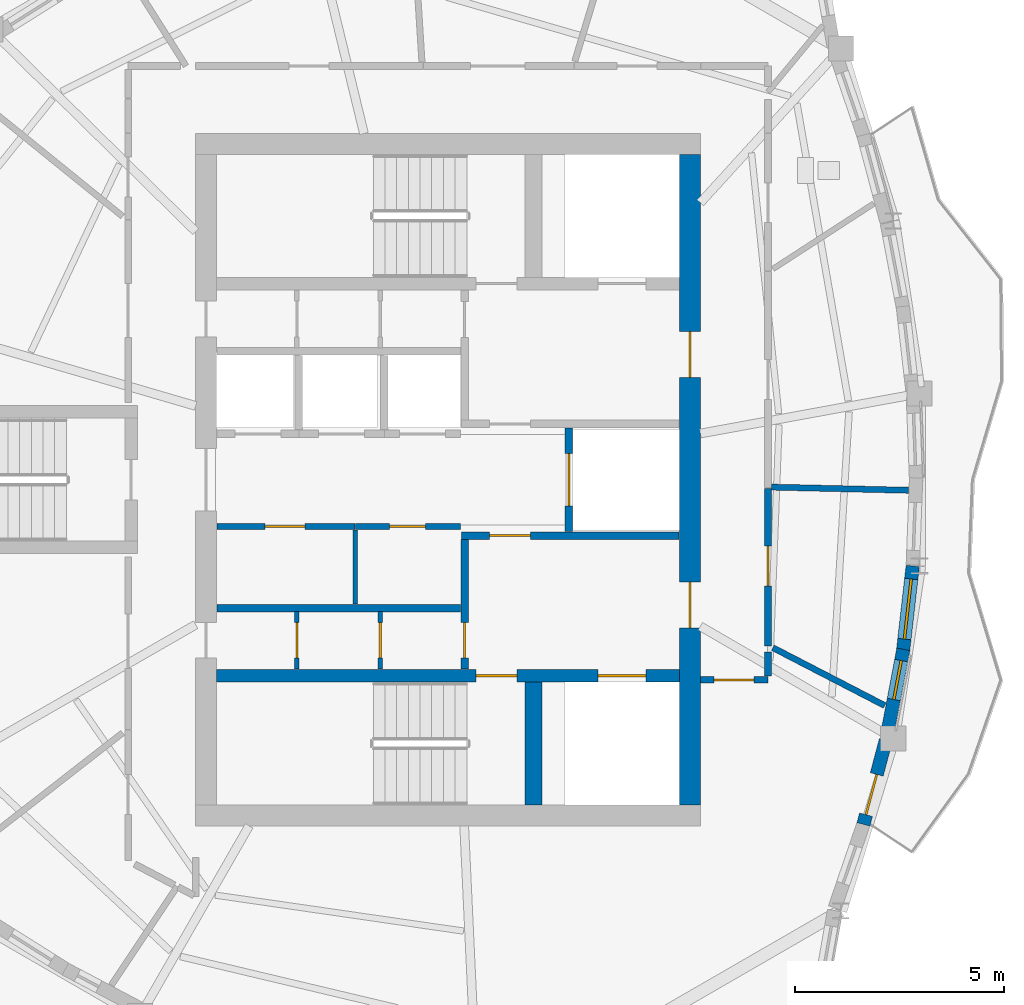
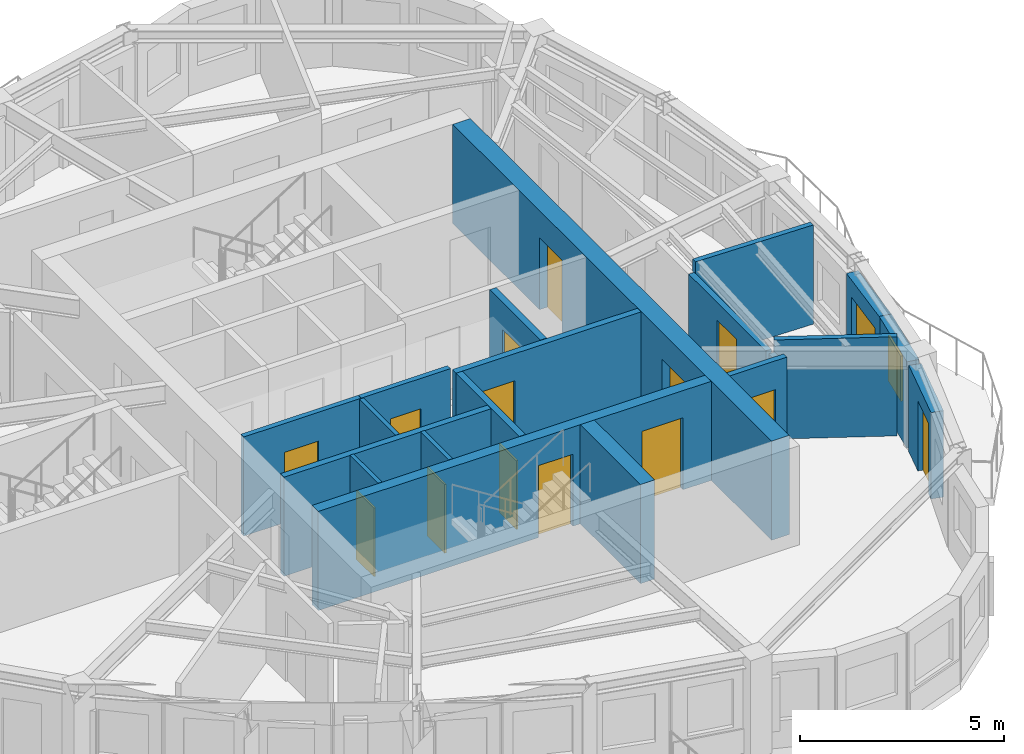
# One storey, part 4 of 11: 20 walls, 14 doors, 2 windows, 16 openings.
"""IFC4 building model written with IfcOpenShell, lengths in metres."""

from ifc_helpers import new_model, si_unit, direction, frame, frame_2d, origin, place, context, subcontext, project, spatial, rectangle, extrude, source, transform, mapped, material, layer, layer_set, type_object, element, fill, save


model = new_model("IFC4")

# Units and contexts
model_context = context("Model", 3, precision=1e-05, world=origin(), true_north=direction((0.0, 1.0)))
body_context = subcontext(model_context, "Body", "Model", "MODEL_VIEW")
ifc_project = project(units=[si_unit("LENGTHUNIT", "METRE"), si_unit("AREAUNIT", "SQUARE_METRE"), si_unit("VOLUMEUNIT", "CUBIC_METRE"), si_unit("PLANEANGLEUNIT", "RADIAN"), si_unit("MASSUNIT", "GRAM", prefix="KILO")], contexts=[model_context])

# Site, building, storey
site_placement = place(None, origin())
site = spatial("IfcSite", under=ifc_project, at=site_placement, CompositionType="ELEMENT")
building_placement = place(site_placement, origin())
building = spatial("IfcBuilding", under=site, at=building_placement, Name="Qafzar Sky-Pleat Residences", CompositionType="ELEMENT")
storey_placement = place(building_placement, frame((0.0, 0.0, 246.800048828125)))
storey = spatial("IfcBuildingStorey", under=building, at=storey_placement, Name="L74", CompositionType="ELEMENT", Elevation=246.800048828125)

# Wall, opening, door
ifc_material_1 = material(Name="Acoustic gypsum plasterboard partition", Category="gypsum")
ifc_layer_1 = layer(ifc_material_1, 0.159912109375)
ifc_layer_set_1 = layer_set([ifc_layer_1], Name="Acoustic gypsum plasterboard partition")
wall_type_1 = type_object("IfcWallType", Name="PART-COR-160", PredefinedType="PARTITIONING", material=ifc_layer_set_1)
wall_1_placement = place(storey_placement, frame((38.02001953125, 25.7939453125, 0.0), z_axis=(0.0, 0.0, 1.0), x_axis=(0.0, -1.0, 0.0)))
wall_1 = element("IfcWall", 1, at=wall_1_placement, inside=storey, type_object=wall_type_1, Name="L74 Partition Wall PART-L74-PW-005", PredefinedType="PARTITIONING", context=body_context, shape_type="SweptSolid", body=[
    extrude(rectangle(XDim=3.77783203125, YDim=0.159912109375, at=frame_2d((1.888916015625, 0.0))), origin(), (0.0, 0.0, 1.0), 2.6279296875),
])
opening_1_placement = place(wall_1_placement, frame((1.385498046875, 0.0, 0.0)))
opening_1 = element("IfcOpeningElement", 2, at=opening_1_placement, cuts=wall_1, Name="Opening ID-06", PredefinedType="OPENING", context=body_context, shape_type="SweptSolid", body=[
    extrude(rectangle(XDim=0.9599609375, YDim=2.10009765625, at=frame_2d((0.47998046875, 1.050048828125))), frame((0.0, 0.08984375, 0.0), z_axis=(0.0, -1.0, 0.0), x_axis=(1.0, 0.0, 0.0)), (0.0, 0.0, 1.0), 0.179931640625),
])
ifc_material_2 = material(Name="Timber-faced fire door", Category="wood")
door_type_1 = type_object("IfcDoorType", Name="DR-STD-960", OperationType="NOTDEFINED", PredefinedType="DOOR", material=ifc_material_2)
shared_shape_1 = source(origin(), body_context, "Body", "SweptSolid", [
    extrude(rectangle(XDim=0.9599609375, YDim=2.10009765625, at=frame_2d((0.47998046875, 1.050048828125))), frame((0.0, 0.02490234375, 0.0), z_axis=(0.0, -1.0, 0.0), x_axis=(1.0, 0.0, 0.0)), (0.0, 0.0, 1.0), 0.050048828125),
])
door_1_placement = place(opening_1_placement, origin())
door_1 = element("IfcDoor", 3, at=door_1_placement, inside=storey, type_object=door_type_1, Name="L74 Quiet Prayer Room Door", OperationType="SINGLE_SWING_LEFT", OverallHeight=2.10009765625, OverallWidth=0.9599609375, PredefinedType="DOOR", context=body_context, shape_type="MappedRepresentation", body=[
    mapped(shared_shape_1, transform((0.0, 0.0, 0.0), x_axis=(1.0, 0.0, 0.0), y_axis=(0.0, 1.0, 0.0), z_axis=(0.0, 0.0, 1.0), scale=1.0)),
])
fill(opening_1, door_1)

wall_2_placement = place(storey_placement, frame((38.02001953125, 21.199951171875, 0.0), z_axis=(0.0, 0.0, 1.0), x_axis=(-1.0, 0.0, 0.0)))
wall_2 = element("IfcWall", 4, at=wall_2_placement, inside=storey, type_object=wall_type_1, Name="L74 Partition Wall PART-L74-PW-011", PredefinedType="PARTITIONING", context=body_context, shape_type="SweptSolid", body=[
    extrude(rectangle(XDim=1.612060546875, YDim=0.159912109375, at=frame_2d((0.80615234375, 0.0))), origin(), (0.0, 0.0, 1.0), 2.9599609375),
])
opening_2_placement = place(wall_2_placement, frame((0.330078125, 0.0, 0.0)))
opening_2 = element("IfcOpeningElement", 5, at=opening_2_placement, cuts=wall_2, Name="Opening ID-06", PredefinedType="OPENING", context=body_context, shape_type="SweptSolid", body=[
    extrude(rectangle(XDim=0.9599609375, YDim=2.10009765625, at=frame_2d((0.47998046875, 1.050048828125))), frame((0.0, 0.08984375, 0.0), z_axis=(0.0, -1.0, 0.0), x_axis=(1.0, 0.0, 0.0)), (0.0, 0.0, 1.0), 0.179931640625),
])
door_2_placement = place(opening_2_placement, origin())
door_2 = element("IfcDoor", 6, at=door_2_placement, inside=storey, type_object=door_type_1, Name="L74 Academic Seminar Room Door", OperationType="SINGLE_SWING_RIGHT", OverallHeight=2.10009765625, OverallWidth=0.9599609375, PredefinedType="DOOR", context=body_context, shape_type="MappedRepresentation", body=[
    mapped(shared_shape_1, transform((0.0, 0.0, 0.0), x_axis=(1.0, 0.0, 0.0), y_axis=(0.0, 1.0, 0.0), z_axis=(0.0, 0.0, 1.0), scale=1.0)),
])
fill(opening_2, door_2)

# Wall
wall_3_placement = place(storey_placement, frame((38.02001953125, 21.2880859375, 0.0), z_axis=(0.0, 0.0, 1.0), x_axis=(0.0, 1.0, 0.0)))
element("IfcWall", 7, at=wall_3_placement, inside=storey, type_object=wall_type_1, Name="L74 Partition Wall PART-L74-PW-029", PredefinedType="PARTITIONING", context=body_context, shape_type="SweptSolid", body=[
    extrude(rectangle(XDim=0.58203125, YDim=0.159912109375, at=frame_2d((0.291015625, 0.0))), origin(), (0.0, 0.0, 1.0), 2.6279296875),
])

# Wall, opening, door
ifc_material_3 = material(Name="Concrete blockwork partition", Category="masonry")
ifc_layer_2 = layer(ifc_material_3, 0.179931640625)
ifc_layer_set_2 = layer_set([ifc_layer_2], Name="Concrete blockwork partition")
wall_type_2 = type_object("IfcWallType", Name="PART-SHAFT-180", PredefinedType="PARTITIONING", material=ifc_layer_set_2)
wall_4_placement = place(storey_placement, frame((30.75, 21.4599609375, 0.0), z_axis=(0.0, 0.0, 1.0), x_axis=(0.0, 1.0, 0.0)))
wall_4 = element("IfcWall", 8, at=wall_4_placement, inside=storey, type_object=wall_type_2, Name="L74 Partition Wall PART-L74-FFL1-W", PredefinedType="PARTITIONING", context=body_context, shape_type="SweptSolid", body=[
    extrude(rectangle(XDim=3.110107421875, YDim=0.179931640625, at=frame_2d((1.55517578125, 0.0))), origin(), (0.0, 0.0, 1.0), 2.9599609375),
])
opening_3_placement = place(wall_4_placement, frame((0.260009765625, 0.0, 0.0)))
opening_3 = element("IfcOpeningElement", 9, at=opening_3_placement, cuts=wall_4, Name="Opening ID-09", PredefinedType="OPENING", context=body_context, shape_type="SweptSolid", body=[
    extrude(rectangle(XDim=0.860107421875, YDim=2.050048828125, at=frame_2d((0.43017578125, 1.02490234375))), frame((0.0, 0.10009765625, 0.0), z_axis=(0.0, -1.0, 0.0), x_axis=(1.0, 0.0, 0.0)), (0.0, 0.0, 1.0), 0.199951171875),
])
door_type_2 = type_object("IfcDoorType", Name="DR-SVC-860", OperationType="NOTDEFINED", PredefinedType="DOOR", material=ifc_material_2)
shared_shape_2 = source(origin(), body_context, "Body", "SweptSolid", [
    extrude(rectangle(XDim=0.860107421875, YDim=2.050048828125, at=frame_2d((0.43017578125, 1.02490234375))), frame((0.0, 0.02490234375, 0.0), z_axis=(0.0, -1.0, 0.0), x_axis=(1.0, 0.0, 0.0)), (0.0, 0.0, 1.0), 0.050048828125),
])
door_3_placement = place(opening_3_placement, origin())
door_3 = element("IfcDoor", 10, at=door_3_placement, inside=storey, type_object=door_type_2, Name="L74 South Core Cupboard Door", OperationType="SINGLE_SWING_LEFT", OverallHeight=2.050048828125, OverallWidth=0.860107421875, PredefinedType="DOOR", context=body_context, shape_type="MappedRepresentation", body=[
    mapped(shared_shape_2, transform((0.0, 0.0, 0.0), x_axis=(1.0, 0.0, 0.0), y_axis=(0.0, 1.0, 0.0), z_axis=(0.0, 0.0, 1.0), scale=1.0)),
])
fill(opening_3, door_3)

wall_5_placement = place(storey_placement, frame((30.669921875, 24.659912109375, 0.0), z_axis=(0.0, 0.0, 1.0), x_axis=(1.0, 0.0, 0.0)))
wall_5 = element("IfcWall", 11, at=wall_5_placement, inside=storey, type_object=wall_type_2, Name="L74 Partition Wall PART-L74-FFL1-N", PredefinedType="PARTITIONING", context=body_context, shape_type="SweptSolid", body=[
    extrude(rectangle(XDim=5.219970703125, YDim=0.179931640625, at=frame_2d((2.60986328125, 0.0))), origin(), (0.0, 0.0, 1.0), 2.9599609375),
])
opening_4_placement = place(wall_5_placement, frame((0.679931640625, 0.0, 0.0)))
opening_4 = element("IfcOpeningElement", 12, at=opening_4_placement, cuts=wall_5, Name="Opening ID-01", PredefinedType="OPENING", context=body_context, shape_type="SweptSolid", body=[
    extrude(rectangle(XDim=0.97998046875, YDim=2.14990234375, at=frame_2d((0.489990234375, 1.074951171875))), frame((0.0, 0.10009765625, 0.0), z_axis=(0.0, -1.0, 0.0), x_axis=(1.0, 0.0, 0.0)), (0.0, 0.0, 1.0), 0.199951171875),
])
door_type_3 = type_object("IfcDoorType", Name="DR-STAIR-980", OperationType="NOTDEFINED", PredefinedType="DOOR", material=ifc_material_2)
shared_shape_3 = source(origin(), body_context, "Body", "SweptSolid", [
    extrude(rectangle(XDim=0.97998046875, YDim=2.14990234375, at=frame_2d((0.489990234375, 1.074951171875))), frame((0.0, 0.02490234375, 0.0), z_axis=(0.0, -1.0, 0.0), x_axis=(1.0, 0.0, 0.0)), (0.0, 0.0, 1.0), 0.050048828125),
])
door_4_placement = place(opening_4_placement, origin())
door_4 = element("IfcDoor", 13, at=door_4_placement, inside=storey, type_object=door_type_3, Name="L74 Lift Lobby to South Firefighting Lobby Door", OperationType="SINGLE_SWING_RIGHT", OverallHeight=2.14990234375, OverallWidth=0.97998046875, PredefinedType="DOOR", context=body_context, shape_type="MappedRepresentation", body=[
    mapped(shared_shape_3, transform((0.0, 0.0, 0.0), x_axis=(1.0, 0.0, 0.0), y_axis=(0.0, 1.0, 0.0), z_axis=(0.0, 0.0, 1.0), scale=1.0)),
])
fill(opening_4, door_4)

wall_6_placement = place(storey_placement, frame((33.25, 24.760009765625, 0.0), z_axis=(0.0, 0.0, 1.0), x_axis=(0.0, 1.0, 0.0)))
wall_6 = element("IfcWall", 14, at=wall_6_placement, inside=storey, type_object=wall_type_2, Name="L74 Partition Wall PART-L74-SV1-W", PredefinedType="PARTITIONING", context=body_context, shape_type="SweptSolid", body=[
    extrude(rectangle(XDim=2.47998046875, YDim=0.179931640625, at=frame_2d((1.239990234375, 0.0))), origin(), (0.0, 0.0, 1.0), 2.9599609375),
])
opening_5_placement = place(wall_6_placement, frame((0.614990234375, 0.0, 0.0)))
opening_5 = element("IfcOpeningElement", 15, at=opening_5_placement, cuts=wall_6, Name="Opening LD-03", PredefinedType="OPENING", context=body_context, shape_type="SweptSolid", body=[
    extrude(rectangle(XDim=1.25, YDim=2.14990234375, at=frame_2d((0.625, 1.074951171875))), frame((0.0, 0.10009765625, 0.0), z_axis=(0.0, -1.0, 0.0), x_axis=(1.0, 0.0, 0.0)), (0.0, 0.0, 1.0), 0.199951171875),
])
ifc_material_4 = material(Name="Stainless steel sliding landing door", Category="steel")
door_type_4 = type_object("IfcDoorType", Name="DR-LIFT-SV", OperationType="DOUBLE_DOOR_SLIDING", PredefinedType="DOOR", material=ifc_material_4)
shared_shape_4 = source(origin(), body_context, "Body", "SweptSolid", [
    extrude(rectangle(XDim=1.25, YDim=2.14990234375, at=frame_2d((0.625, 1.074951171875))), frame((0.0, 0.02490234375, 0.0), z_axis=(0.0, -1.0, 0.0), x_axis=(1.0, 0.0, 0.0)), (0.0, 0.0, 1.0), 0.050048828125),
])
door_5_placement = place(opening_5_placement, origin())
door_5 = element("IfcDoor", 16, at=door_5_placement, inside=storey, type_object=door_type_4, Name="L74 Service Lift SV1 Landing Door", OperationType="DOUBLE_DOOR_SLIDING", OverallHeight=2.14990234375, OverallWidth=1.25, PredefinedType="DOOR", context=body_context, shape_type="MappedRepresentation", body=[
    mapped(shared_shape_4, transform((0.0, 0.0, 0.0), x_axis=(1.0, 0.0, 0.0), y_axis=(0.0, 1.0, 0.0), z_axis=(0.0, 0.0, 1.0), scale=1.0)),
])
fill(opening_5, door_5)

# Walls
wall_7_placement = place(storey_placement, frame((24.81005859375, 22.919921875, 0.0), z_axis=(0.0, 0.0, 1.0), x_axis=(1.0, 0.0, 0.0)))
element("IfcWall", 17, at=wall_7_placement, inside=storey, type_object=wall_type_2, Name="L74 Partition Wall PART-L74-P13-S", PredefinedType="PARTITIONING", context=body_context, shape_type="SweptSolid", body=[
    extrude(rectangle(XDim=5.83984375, YDim=0.179931640625, at=frame_2d((2.919921875, 0.0))), origin(), (0.0, 0.0, 1.0), 2.9599609375),
])
ifc_material_5 = material(Name="Gypsum plasterboard partition", Category="gypsum")
ifc_layer_3 = layer(ifc_material_5, 0.114990234375)
ifc_layer_set_3 = layer_set([ifc_layer_3], Name="Gypsum plasterboard partition")
wall_type_3 = type_object("IfcWallType", Name="PART-SVC-115", PredefinedType="PARTITIONING", material=ifc_layer_set_3)
wall_8_placement = place(storey_placement, frame((28.125, 23.02001953125, 0.0), z_axis=(0.0, 0.0, 1.0), x_axis=(0.0, 1.0, 0.0)))
element("IfcWall", 18, at=wall_8_placement, inside=storey, type_object=wall_type_3, Name="L74 Partition Wall PART-L74-RECLAIM-DIV", PredefinedType="PARTITIONING", context=body_context, shape_type="SweptSolid", body=[
    extrude(rectangle(XDim=1.77001953125, YDim=0.114990234375, at=frame_2d((0.885009765625, 0.0))), origin(), (0.0, 0.0, 1.0), 2.9599609375),
])

# Wall, opening, door
wall_9_placement = place(storey_placement, frame((26.72509765625, 21.4599609375, 0.0), z_axis=(0.0, 0.0, 1.0), x_axis=(0.0, 1.0, 0.0)))
wall_9 = element("IfcWall", 19, at=wall_9_placement, inside=storey, type_object=wall_type_3, Name="L74 Partition Wall PART-L74-KC-SW-1", PredefinedType="PARTITIONING", context=body_context, shape_type="SweptSolid", body=[
    extrude(rectangle(XDim=1.380126953125, YDim=0.114990234375, at=frame_2d((0.68994140625, 0.0))), origin(), (0.0, 0.0, 1.0), 2.9599609375),
])
opening_6_placement = place(wall_9_placement, frame((0.260009765625, 0.0, 0.0)))
opening_6 = element("IfcOpeningElement", 20, at=opening_6_placement, cuts=wall_9, Name="Opening ID-09", PredefinedType="OPENING", context=body_context, shape_type="SweptSolid", body=[
    extrude(rectangle(XDim=0.860107421875, YDim=2.050048828125, at=frame_2d((0.43017578125, 1.02490234375))), frame((0.0, 0.0673828125, 0.0), z_axis=(0.0, -1.0, 0.0), x_axis=(1.0, 0.0, 0.0)), (0.0, 0.0, 1.0), 0.135009765625),
])
door_6_placement = place(opening_6_placement, origin())
door_6 = element("IfcDoor", 21, at=door_6_placement, inside=storey, type_object=door_type_2, Name="L74 Core South Cupboard 1 Door", OperationType="SINGLE_SWING_LEFT", OverallHeight=2.050048828125, OverallWidth=0.860107421875, PredefinedType="DOOR", context=body_context, shape_type="MappedRepresentation", body=[
    mapped(shared_shape_2, transform((0.0, 0.0, 0.0), x_axis=(1.0, 0.0, 0.0), y_axis=(0.0, 1.0, 0.0), z_axis=(0.0, 0.0, 1.0), scale=1.0)),
])
fill(opening_6, door_6)

wall_10_placement = place(storey_placement, frame((28.72509765625, 21.4599609375, 0.0), z_axis=(0.0, 0.0, 1.0), x_axis=(0.0, 1.0, 0.0)))
wall_10 = element("IfcWall", 22, at=wall_10_placement, inside=storey, type_object=wall_type_3, Name="L74 Partition Wall PART-L74-KC-SW-2", PredefinedType="PARTITIONING", context=body_context, shape_type="SweptSolid", body=[
    extrude(rectangle(XDim=1.380126953125, YDim=0.114990234375, at=frame_2d((0.68994140625, 0.0))), origin(), (0.0, 0.0, 1.0), 2.9599609375),
])
opening_7_placement = place(wall_10_placement, frame((0.260009765625, 0.0, 0.0)))
opening_7 = element("IfcOpeningElement", 23, at=opening_7_placement, cuts=wall_10, Name="Opening ID-09", PredefinedType="OPENING", context=body_context, shape_type="SweptSolid", body=[
    extrude(rectangle(XDim=0.860107421875, YDim=2.050048828125, at=frame_2d((0.43017578125, 1.02490234375))), frame((0.0, 0.0673828125, 0.0), z_axis=(0.0, -1.0, 0.0), x_axis=(1.0, 0.0, 0.0)), (0.0, 0.0, 1.0), 0.135009765625),
])
door_7_placement = place(opening_7_placement, origin())
door_7 = element("IfcDoor", 24, at=door_7_placement, inside=storey, type_object=door_type_2, Name="L74 Core South Cupboard 2 Door", OperationType="SINGLE_SWING_LEFT", OverallHeight=2.050048828125, OverallWidth=0.860107421875, PredefinedType="DOOR", context=body_context, shape_type="MappedRepresentation", body=[
    mapped(shared_shape_2, transform((0.0, 0.0, 0.0), x_axis=(1.0, 0.0, 0.0), y_axis=(0.0, 1.0, 0.0), z_axis=(0.0, 0.0, 1.0), scale=1.0)),
])
fill(opening_7, door_7)

ifc_layer_4 = layer(ifc_material_1, 0.14501953125)
ifc_layer_set_4 = layer_set([ifc_layer_4], Name="Acoustic gypsum plasterboard partition")
wall_type_4 = type_object("IfcWallType", Name="PART-UNIT-145", PredefinedType="PARTITIONING", material=ifc_layer_set_4)
wall_11_placement = place(storey_placement, frame((24.81005859375, 24.8798828125, 0.0), z_axis=(0.0, 0.0, 1.0), x_axis=(1.0, 0.0, 0.0)))
wall_11 = element("IfcWall", 25, at=wall_11_placement, inside=storey, type_object=wall_type_4, Name="L74 Partition Wall PART-L74-RECLAIM-N1", PredefinedType="PARTITIONING", context=body_context, shape_type="SweptSolid", body=[
    extrude(rectangle(XDim=3.31005859375, YDim=0.14501953125, at=frame_2d((1.655029296875, 0.0))), origin(), (0.0, 0.0, 1.0), 2.9599609375),
])
opening_8_placement = place(wall_11_placement, frame((1.14990234375, 0.0, 0.0)))
opening_8 = element("IfcOpeningElement", 26, at=opening_8_placement, cuts=wall_11, Name="Opening ID-06", PredefinedType="OPENING", context=body_context, shape_type="SweptSolid", body=[
    extrude(rectangle(XDim=0.9599609375, YDim=2.10009765625, at=frame_2d((0.47998046875, 1.050048828125))), frame((0.0, 0.08251953125, 0.0), z_axis=(0.0, -1.0, 0.0), x_axis=(1.0, 0.0, 0.0)), (0.0, 0.0, 1.0), 0.1650390625),
])
door_8_placement = place(opening_8_placement, origin())
door_8 = element("IfcDoor", 27, at=door_8_placement, inside=storey, type_object=door_type_1, Name="L74 Reclaimed Quiet Study Room Door", OperationType="SINGLE_SWING_LEFT", OverallHeight=2.10009765625, OverallWidth=0.9599609375, PredefinedType="DOOR", context=body_context, shape_type="MappedRepresentation", body=[
    mapped(shared_shape_1, transform((0.0, 0.0, 0.0), x_axis=(1.0, 0.0, 0.0), y_axis=(0.0, 1.0, 0.0), z_axis=(0.0, 0.0, 1.0), scale=1.0)),
])
fill(opening_8, door_8)

wall_12_placement = place(storey_placement, frame((28.1298828125, 24.8798828125, 0.0), z_axis=(0.0, 0.0, 1.0), x_axis=(1.0, 0.0, 0.0)))
wall_12 = element("IfcWall", 28, at=wall_12_placement, inside=storey, type_object=wall_type_4, Name="L74 Partition Wall PART-L74-RECLAIM-N2", PredefinedType="PARTITIONING", context=body_context, shape_type="SweptSolid", body=[
    extrude(rectangle(XDim=2.52001953125, YDim=0.14501953125, at=frame_2d((1.260009765625, 0.0))), origin(), (0.0, 0.0, 1.0), 2.9599609375),
])
opening_9_placement = place(wall_12_placement, frame((0.820068359375, 0.0, 0.0)))
opening_9 = element("IfcOpeningElement", 29, at=opening_9_placement, cuts=wall_12, Name="Opening ID-09", PredefinedType="OPENING", context=body_context, shape_type="SweptSolid", body=[
    extrude(rectangle(XDim=0.860107421875, YDim=2.050048828125, at=frame_2d((0.43017578125, 1.02490234375))), frame((0.0, 0.08251953125, 0.0), z_axis=(0.0, -1.0, 0.0), x_axis=(1.0, 0.0, 0.0)), (0.0, 0.0, 1.0), 0.1650390625),
])
door_9_placement = place(opening_9_placement, origin())
door_9 = element("IfcDoor", 30, at=door_9_placement, inside=storey, type_object=door_type_2, Name="L74 Reclaimed Linen Cupboard Door", OperationType="SINGLE_SWING_RIGHT", OverallHeight=2.050048828125, OverallWidth=0.860107421875, PredefinedType="DOOR", context=body_context, shape_type="MappedRepresentation", body=[
    mapped(shared_shape_2, transform((0.0, 0.0, 0.0), x_axis=(1.0, 0.0, 0.0), y_axis=(0.0, 1.0, 0.0), z_axis=(0.0, 0.0, 1.0), scale=1.0)),
])
fill(opening_9, door_9)

# Walls
wall_13_placement = place(storey_placement, frame((38.109619140625, 25.822021484375, 0.0), z_axis=(0.0, 0.0, 1.0), x_axis=(0.999734335157, -0.023049058746, 0.0)))
element("IfcWall", 31, at=wall_13_placement, inside=storey, type_object=wall_type_4, Name="L74 Partition Wall PART-L74-PW-017", PredefinedType="PARTITIONING", context=body_context, shape_type="SweptSolid", body=[
    extrude(rectangle(XDim=3.28369140625, YDim=0.14501953125, at=frame_2d((1.641845703125, 0.0))), origin(), (0.0, 0.0, 1.0), 2.9599609375),
])
wall_14_placement = place(storey_placement, frame((38.140380859375, 21.970703125, 0.0), z_axis=(0.0, 0.0, 1.0), x_axis=(0.888273451666, -0.459315006357, 0.0)))
element("IfcWall", 32, at=wall_14_placement, inside=storey, type_object=wall_type_4, Name="L74 Partition Wall PART-L74-PW-018", PredefinedType="PARTITIONING", context=body_context, shape_type="SweptSolid", body=[
    extrude(rectangle(XDim=3.015869140625, YDim=0.14501953125, at=frame_2d((1.5078125, 0.0))), origin(), (0.0, 0.0, 1.0), 2.9599609375),
])

# Wall, opening, door
ifc_material_6 = material(Name="Precast concrete C40/50 with honed Riyadh limestone", Category="concrete")
ifc_layer_5 = layer(ifc_material_6, 0.320068359375)
ifc_layer_set_5 = layer_set([ifc_layer_5], Name="Precast concrete C40/50 with honed Riyadh limestone")
wall_type_5 = type_object("IfcWallType", Name="WALL-EXT-320", PredefinedType="SOLIDWALL", material=ifc_layer_set_5)
wall_15_placement = place(storey_placement, frame((40.31005859375, 17.735595703125, 0.0), z_axis=(0.0, 0.0, 1.0), x_axis=(0.257094755125, 0.966386199657, 0.0)))
wall_15 = element("IfcWall", 33, at=wall_15_placement, inside=storey, type_object=wall_type_5, Name="L74 Limestone Facade Wall 24", PredefinedType="SOLIDWALL", context=body_context, shape_type="SweptSolid", body=[
    extrude(rectangle(XDim=2.087158203125, YDim=0.320068359375, at=frame_2d((1.04345703125, 0.0))), origin(), (0.0, 0.0, 1.0), 2.579833984375),
])
opening_10_placement = place(wall_15_placement, frame((0.239990234375, 0.0, 0.0)))
opening_10 = element("IfcOpeningElement", 34, at=opening_10_placement, cuts=wall_15, Name="Opening ED-05", PredefinedType="OPENING", context=body_context, shape_type="SweptSolid", body=[
    extrude(rectangle(XDim=1.0, YDim=2.10009765625, at=frame_2d((0.5, 1.050048828125))), frame((0.0, 0.169921875, 0.0), z_axis=(0.0, -1.0, 0.0), x_axis=(1.0, 0.0, 0.0)), (0.0, 0.0, 1.0), 0.340087890625),
])
ifc_material_7 = material(Name="Glazed bronze aluminium door", Category="aluminium")
door_type_5 = type_object("IfcDoorType", Name="DR-BAL-1000", OperationType="NOTDEFINED", PredefinedType="DOOR", material=ifc_material_7)
shared_shape_5 = source(origin(), body_context, "Body", "SweptSolid", [
    extrude(rectangle(XDim=1.0, YDim=2.10009765625, at=frame_2d((0.5, 1.050048828125))), frame((0.0, 0.02490234375, 0.0), z_axis=(0.0, -1.0, 0.0), x_axis=(1.0, 0.0, 0.0)), (0.0, 0.0, 1.0), 0.050048828125),
])
door_10_placement = place(opening_10_placement, origin())
door_10 = element("IfcDoor", 35, at=door_10_placement, inside=storey, type_object=door_type_5, Name="L74 Glazed Balcony Door 1", OperationType="SINGLE_SWING_LEFT", OverallHeight=2.10009765625, OverallWidth=1.0, PredefinedType="DOOR", context=body_context, shape_type="MappedRepresentation", body=[
    mapped(shared_shape_5, transform((0.0, 0.0, 0.0), x_axis=(1.0, 0.0, 0.0), y_axis=(0.0, 1.0, 0.0), z_axis=(0.0, 0.0, 1.0), scale=1.0)),
])
fill(opening_10, door_10)

# Wall, opening, window
wall_16_placement = place(storey_placement, frame((40.884033203125, 19.916748046875, 0.0), z_axis=(0.0, 0.0, 1.0), x_axis=(0.186658349395, 0.98242488802, 0.0)))
wall_16 = element("IfcWall", 36, at=wall_16_placement, inside=storey, type_object=wall_type_5, Name="L74 Limestone Facade Wall 25", PredefinedType="SOLIDWALL", context=body_context, shape_type="SweptSolid", body=[
    extrude(rectangle(XDim=2.05224609375, YDim=0.320068359375, at=frame_2d((1.026123046875, 0.0))), origin(), (0.0, 0.0, 1.0), 2.579833984375),
])
opening_11_placement = place(wall_16_placement, frame((0.827880859375, 0.0, 0.820068359375)))
opening_11 = element("IfcOpeningElement", 37, at=opening_11_placement, cuts=wall_16, Name="Opening WN-12", PredefinedType="OPENING", context=body_context, shape_type="SweptSolid", body=[
    extrude(rectangle(XDim=0.949951171875, YDim=1.35009765625, at=frame_2d((0.47509765625, 0.675048828125))), frame((0.0, 0.169921875, 0.0), z_axis=(0.0, -1.0, 0.0), x_axis=(1.0, 0.0, 0.0)), (0.0, 0.0, 1.0), 0.340087890625),
])
ifc_material_8 = material(Name="Solar-control low-E glass in bronze aluminium frame", Category="glass")
window_type_1 = type_object("IfcWindowType", Name="WIN-12", PartitioningType="SINGLE_PANEL", PredefinedType="WINDOW", material=ifc_material_8)
shared_shape_6 = source(origin(), body_context, "Body", "SweptSolid", [
    extrude(rectangle(XDim=0.949951171875, YDim=1.35009765625, at=frame_2d((0.47509765625, 0.675048828125))), frame((0.0, 0.030029296875, 0.0), z_axis=(0.0, -1.0, 0.0), x_axis=(1.0, 0.0, 0.0)), (0.0, 0.0, 1.0), 0.06005859375),
])
window_1_placement = place(opening_11_placement, origin())
window_1 = element("IfcWindow", 38, at=window_1_placement, inside=storey, type_object=window_type_1, Name="L74 Punched Facade Window 25-2", OverallHeight=1.35009765625, OverallWidth=0.949951171875, PartitioningType="SINGLE_PANEL", PredefinedType="WINDOW", context=body_context, shape_type="MappedRepresentation", body=[
    mapped(shared_shape_6, transform((0.0, 0.0, 0.0), x_axis=(1.0, 0.0, 0.0), y_axis=(0.0, 1.0, 0.0), z_axis=(0.0, 0.0, 1.0), scale=1.0)),
])
fill(opening_11, window_1)

wall_17_placement = place(storey_placement, frame((41.25390625, 21.845947265625, 0.0), z_axis=(0.0, 0.0, 1.0), x_axis=(0.113303807423, 0.993560389319, 0.0)))
wall_17 = element("IfcWall", 39, at=wall_17_placement, inside=storey, type_object=wall_type_5, Name="L74 Limestone Facade Wall 26", PredefinedType="SOLIDWALL", context=body_context, shape_type="SweptSolid", body=[
    extrude(rectangle(XDim=2.0986328125, YDim=0.320068359375, at=frame_2d((1.04931640625, 0.0))), origin(), (0.0, 0.0, 1.0), 2.579833984375),
])
opening_12_placement = place(wall_17_placement, frame((0.334228515625, 0.0, 0.820068359375)))
opening_12 = element("IfcOpeningElement", 40, at=opening_12_placement, cuts=wall_17, Name="Opening WN-15", PredefinedType="OPENING", context=body_context, shape_type="SweptSolid", body=[
    extrude(rectangle(XDim=1.449951171875, YDim=1.25, at=frame_2d((0.72509765625, 0.625))), frame((0.0, 0.169921875, 0.0), z_axis=(0.0, -1.0, 0.0), x_axis=(1.0, 0.0, 0.0)), (0.0, 0.0, 1.0), 0.340087890625),
])
window_type_2 = type_object("IfcWindowType", Name="WIN-15", PartitioningType="SINGLE_PANEL", PredefinedType="WINDOW", material=ifc_material_8)
shared_shape_7 = source(origin(), body_context, "Body", "SweptSolid", [
    extrude(rectangle(XDim=1.449951171875, YDim=1.25, at=frame_2d((0.72509765625, 0.625))), frame((0.0, 0.030029296875, 0.0), z_axis=(0.0, -1.0, 0.0), x_axis=(1.0, 0.0, 0.0)), (0.0, 0.0, 1.0), 0.06005859375),
])
window_2_placement = place(opening_12_placement, origin())
window_2 = element("IfcWindow", 41, at=window_2_placement, inside=storey, type_object=window_type_2, Name="L74 Punched Facade Window 26", OverallHeight=1.25, OverallWidth=1.449951171875, PartitioningType="SINGLE_PANEL", PredefinedType="WINDOW", context=body_context, shape_type="MappedRepresentation", body=[
    mapped(shared_shape_7, transform((0.0, 0.0, 0.0), x_axis=(1.0, 0.0, 0.0), y_axis=(0.0, 1.0, 0.0), z_axis=(0.0, 0.0, 1.0), scale=1.0)),
])
fill(opening_12, window_2)

# Wall, openings, doors
ifc_material_9 = material(Name="Concrete C60/75", Category="concrete")
ifc_layer_6 = layer(ifc_material_9, 0.300048828125)
ifc_layer_set_6 = layer_set([ifc_layer_6], Name="Concrete C60/75")
wall_type_6 = type_object("IfcWallType", Name="WALL-SHEAR-300", PredefinedType="SHEAR", material=ifc_layer_set_6)
wall_18_placement = place(storey_placement, frame((24.800048828125, 21.300048828125, 0.0), z_axis=(0.0, 0.0, 1.0), x_axis=(1.0, 0.0, 0.0)))
wall_18 = element("IfcWall", 42, at=wall_18_placement, inside=storey, type_object=wall_type_6, Name="L74 Stair ST1 and FF1 Shaft North Wall", PredefinedType="SHEAR", context=body_context, shape_type="SweptSolid", body=[
    extrude(rectangle(XDim=11.099853515625, YDim=0.300048828125, at=frame_2d((5.5498046875, 0.0))), origin(), (0.0, 0.0, 1.0), 2.9599609375),
])
opening_13_placement = place(wall_18_placement, frame((6.219970703125, 0.0, 0.0)))
opening_13 = element("IfcOpeningElement", 43, at=opening_13_placement, cuts=wall_18, Name="Opening ID-01", PredefinedType="OPENING", context=body_context, shape_type="SweptSolid", body=[
    extrude(rectangle(XDim=0.97998046875, YDim=2.14990234375, at=frame_2d((0.489990234375, 1.074951171875))), frame((0.0, 0.16015625, 0.0), z_axis=(0.0, -1.0, 0.0), x_axis=(1.0, 0.0, 0.0)), (0.0, 0.0, 1.0), 0.320068359375),
])
opening_14_placement = place(wall_18_placement, frame((9.14990234375, 0.0, 0.0)))
opening_14 = element("IfcOpeningElement", 44, at=opening_14_placement, cuts=wall_18, Name="Opening LD-02", PredefinedType="OPENING", context=body_context, shape_type="SweptSolid", body=[
    extrude(rectangle(XDim=1.14990234375, YDim=2.14990234375, at=frame_2d((0.574951171875, 1.074951171875))), frame((0.0, 0.16015625, 0.0), z_axis=(0.0, -1.0, 0.0), x_axis=(1.0, 0.0, 0.0)), (0.0, 0.0, 1.0), 0.320068359375),
])
door_11_placement = place(opening_13_placement, origin())
door_11 = element("IfcDoor", 45, at=door_11_placement, inside=storey, type_object=door_type_3, Name="L74 Stair ST1 Fire Door", OperationType="SINGLE_SWING_RIGHT", OverallHeight=2.14990234375, OverallWidth=0.97998046875, PredefinedType="DOOR", context=body_context, shape_type="MappedRepresentation", body=[
    mapped(shared_shape_3, transform((0.0, 0.0, 0.0), x_axis=(1.0, 0.0, 0.0), y_axis=(0.0, 1.0, 0.0), z_axis=(0.0, 0.0, 1.0), scale=1.0)),
])
fill(opening_13, door_11)
door_type_6 = type_object("IfcDoorType", Name="DR-LIFT-FF", OperationType="DOUBLE_DOOR_SLIDING", PredefinedType="DOOR", material=ifc_material_4)
shared_shape_8 = source(origin(), body_context, "Body", "SweptSolid", [
    extrude(rectangle(XDim=1.14990234375, YDim=2.14990234375, at=frame_2d((0.574951171875, 1.074951171875))), frame((0.0, 0.02490234375, 0.0), z_axis=(0.0, -1.0, 0.0), x_axis=(1.0, 0.0, 0.0)), (0.0, 0.0, 1.0), 0.050048828125),
])
door_12_placement = place(opening_14_placement, origin())
door_12 = element("IfcDoor", 46, at=door_12_placement, inside=storey, type_object=door_type_6, Name="L74 Firefighting Lift FF1 Landing Door", OperationType="DOUBLE_DOOR_SLIDING", OverallHeight=2.14990234375, OverallWidth=1.14990234375, PredefinedType="DOOR", context=body_context, shape_type="MappedRepresentation", body=[
    mapped(shared_shape_8, transform((0.0, 0.0, 0.0), x_axis=(1.0, 0.0, 0.0), y_axis=(0.0, 1.0, 0.0), z_axis=(0.0, 0.0, 1.0), scale=1.0)),
])
fill(opening_14, door_12)

# Wall
ifc_layer_7 = layer(ifc_material_9, 0.39990234375)
ifc_layer_set_7 = layer_set([ifc_layer_7], Name="Concrete C60/75")
wall_type_7 = type_object("IfcWallType", Name="WALL-SHEAR-400", PredefinedType="SHEAR", material=ifc_layer_set_7)
wall_19_placement = place(storey_placement, frame((32.39990234375, 18.199951171875, 0.0), z_axis=(0.0, 0.0, 1.0), x_axis=(0.0, 1.0, 0.0)))
element("IfcWall", 47, at=wall_19_placement, inside=storey, type_object=wall_type_7, Name="L74 Stair ST1 East Dividing Wall", PredefinedType="SHEAR", context=body_context, shape_type="SweptSolid", body=[
    extrude(rectangle(XDim=2.949951171875, YDim=0.39990234375, at=frame_2d((1.47509765625, 0.0))), origin(), (0.0, 0.0, 1.0), 2.9599609375),
])

# Wall, openings, doors
ifc_layer_8 = layer(ifc_material_9, 0.5)
ifc_layer_set_8 = layer_set([ifc_layer_8], Name="Concrete C60/75")
wall_type_8 = type_object("IfcWallType", Name="WALL-SHEAR-500", PredefinedType="SHEAR", material=ifc_layer_set_8)
wall_20_placement = place(storey_placement, frame((36.14990234375, 18.199951171875, 0.0), z_axis=(0.0, 0.0, 1.0), x_axis=(0.0, 1.0, 0.0)))
wall_20 = element("IfcWall", 48, at=wall_20_placement, inside=storey, type_object=wall_type_8, Name="L74 CORE wall E", PredefinedType="SHEAR", context=body_context, shape_type="SweptSolid", body=[
    extrude(rectangle(XDim=15.60009765625, YDim=0.5, at=frame_2d((7.800048828125, 0.0))), origin(), (0.0, 0.0, 1.0), 2.9599609375),
])
opening_15_placement = place(wall_20_placement, frame((4.25, 0.0, 0.0)))
opening_15 = element("IfcOpeningElement", 49, at=opening_15_placement, cuts=wall_20, Name="Opening ID-02", PredefinedType="OPENING", context=body_context, shape_type="SweptSolid", body=[
    extrude(rectangle(XDim=1.10009765625, YDim=2.14990234375, at=frame_2d((0.550048828125, 1.074951171875))), frame((0.0, 0.260009765625, 0.0), z_axis=(0.0, -1.0, 0.0), x_axis=(1.0, 0.0, 0.0)), (0.0, 0.0, 1.0), 0.52001953125),
])
opening_16_placement = place(wall_20_placement, frame((10.25, 0.0, 0.0)))
opening_16 = element("IfcOpeningElement", 50, at=opening_16_placement, cuts=wall_20, Name="Opening ID-02", PredefinedType="OPENING", context=body_context, shape_type="SweptSolid", body=[
    extrude(rectangle(XDim=1.10009765625, YDim=2.14990234375, at=frame_2d((0.550048828125, 1.074951171875))), frame((0.0, 0.260009765625, 0.0), z_axis=(0.0, -1.0, 0.0), x_axis=(1.0, 0.0, 0.0)), (0.0, 0.0, 1.0), 0.52001953125),
])
door_type_7 = type_object("IfcDoorType", Name="DR-FFL-1100", OperationType="NOTDEFINED", PredefinedType="DOOR", material=ifc_material_2)
shared_shape_9 = source(origin(), body_context, "Body", "SweptSolid", [
    extrude(rectangle(XDim=1.10009765625, YDim=2.14990234375, at=frame_2d((0.550048828125, 1.074951171875))), frame((0.0, 0.02490234375, 0.0), z_axis=(0.0, -1.0, 0.0), x_axis=(1.0, 0.0, 0.0)), (0.0, 0.0, 1.0), 0.050048828125),
])
door_13_placement = place(opening_15_placement, origin())
door_13 = element("IfcDoor", 51, at=door_13_placement, inside=storey, type_object=door_type_7, Name="L74 Firefighting Lobby South Corridor Door", OperationType="SINGLE_SWING_LEFT", OverallHeight=2.14990234375, OverallWidth=1.10009765625, PredefinedType="DOOR", context=body_context, shape_type="MappedRepresentation", body=[
    mapped(shared_shape_9, transform((0.0, 0.0, 0.0), x_axis=(1.0, 0.0, 0.0), y_axis=(0.0, 1.0, 0.0), z_axis=(0.0, 0.0, 1.0), scale=1.0)),
])
fill(opening_15, door_13)
door_14_placement = place(opening_16_placement, origin())
door_14 = element("IfcDoor", 52, at=door_14_placement, inside=storey, type_object=door_type_7, Name="L74 Firefighting Lobby North Corridor Door", OperationType="SINGLE_SWING_RIGHT", OverallHeight=2.14990234375, OverallWidth=1.10009765625, PredefinedType="DOOR", context=body_context, shape_type="MappedRepresentation", body=[
    mapped(shared_shape_9, transform((0.0, 0.0, 0.0), x_axis=(1.0, 0.0, 0.0), y_axis=(0.0, 1.0, 0.0), z_axis=(0.0, 0.0, 1.0), scale=1.0)),
])
fill(opening_16, door_14)

save(model, "model.ifc")
